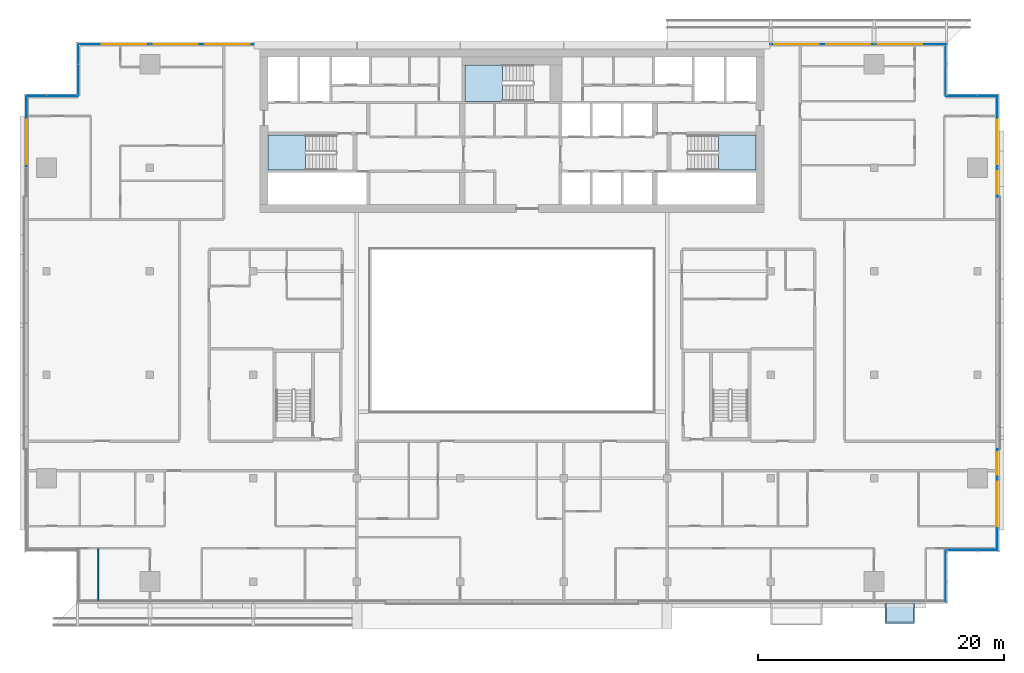
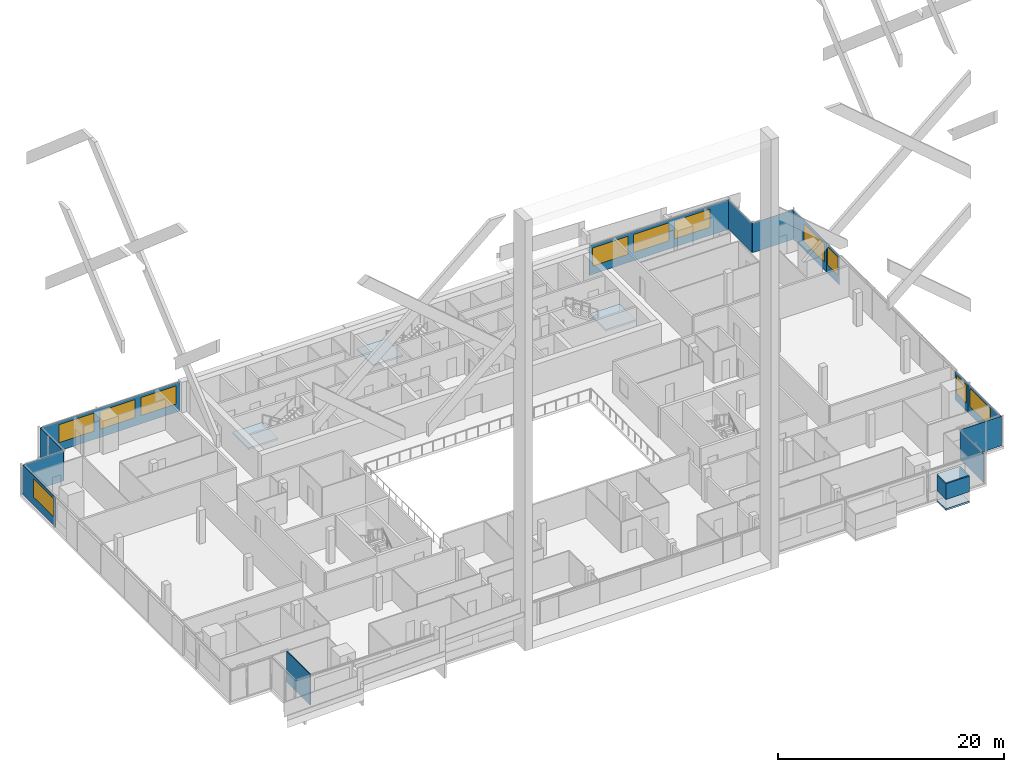
# One storey, part 18 of 31: 15 plates, 11 windows, 4 slabs, 1 wall, 11 openings, 12 elements without a shape of their own.
"""IFC4 building model written with IfcOpenShell, lengths in metres."""

from ifc_helpers import new_model, si_unit, direction, frame, frame_2d, origin, place, context, subcontext, project, spatial, polyline, rectangle, outline, extrude, material, layer, layer_set, type_object, element, fill, aggregate, save


model = new_model("IFC4")

# Units and contexts
model_context = context("Model", 3, precision=1e-05, world=origin(), true_north=direction((0.0, 1.0)))
body_context = subcontext(model_context, "Body", "Model", "MODEL_VIEW")
ifc_project = project(units=[si_unit("LENGTHUNIT", "METRE"), si_unit("AREAUNIT", "SQUARE_METRE"), si_unit("VOLUMEUNIT", "CUBIC_METRE"), si_unit("PLANEANGLEUNIT", "RADIAN"), si_unit("MASSUNIT", "GRAM", prefix="KILO")], contexts=[model_context])

# Site, building, storey
site_placement = place(None, origin())
site = spatial("IfcSite", under=ifc_project, at=site_placement, CompositionType="ELEMENT")
building_placement = place(site_placement, origin())
building = spatial("IfcBuilding", under=site, at=building_placement, Name="Saffron Gate Tower", CompositionType="ELEMENT")
storey_placement = place(building_placement, frame((0.0, 0.0, 205.5)))
storey = spatial("IfcBuildingStorey", under=building, at=storey_placement, Name="L49", CompositionType="ELEMENT", Elevation=205.5)

# Curtain wall, plates, openings, windows
ifc_material_1 = material(Name="Aluminium, bronze anodised", Category="aluminium")
curtain_wall_type_1 = type_object("IfcCurtainWallType", Name="CWS2 curtain wall side facades", PredefinedType="NOTDEFINED", material=ifc_material_1)
curtain_wall_1_placement = place(storey_placement, origin())
curtain_wall_1 = element("IfcCurtainWall", 1, at=curtain_wall_1_placement, inside=storey, type_object=curtain_wall_type_1, Name="CWS2 run 4", PredefinedType="NOTDEFINED")
ifc_material_2 = material(Name="Fritted bronze-tinted laminated glass", Category="glass")
ifc_layer_1 = layer(ifc_material_2, 0.028076171875)
ifc_layer_set_1 = layer_set([ifc_layer_1], Name="CWS2 fixed glass")
plate_type_1 = type_object("IfcPlateType", Name="CWS2 fixed glass", PredefinedType="CURTAIN_PANEL", material=ifc_layer_set_1)
plate_1_placement = place(storey_placement, frame((127.02587890625, 34.387939453125, 0.0), z_axis=(0.0, 0.0, 1.0), x_axis=(0.0, 1.0, 0.0)))
plate_1 = element("IfcPlate", 2, at=plate_1_placement, type_object=plate_type_1, Name="CWS2 glass panel", PredefinedType="CURTAIN_PANEL", context=body_context, shape_type="SweptSolid", body=[
    extrude(rectangle(XDim=5.842041015625, YDim=0.028076171875, at=frame_2d((2.9208984375, 0.0))), origin(), (0.0, 0.0, 1.0), 3.199951171875),
])
opening_1_placement = place(plate_1_placement, frame((1.912109375, 0.0, 0.89990234375)))
opening_1 = element("IfcOpeningElement", 3, at=opening_1_placement, cuts=plate_1, Name="Opening W1", PredefinedType="OPENING", context=body_context, shape_type="SweptSolid", body=[
    extrude(rectangle(XDim=3.60009765625, YDim=1.949951171875, at=frame_2d((1.800048828125, 0.97509765625))), frame((0.0, 0.02392578125, 0.0), z_axis=(0.0, -1.0, 0.0), x_axis=(1.0, 0.0, 0.0)), (0.0, 0.0, 1.0), 0.048095703125),
])
ifc_material_3 = material(Name="Fritted bronze-tinted laminated glass in bronze frame", Category="glass")
ifc_layer_2 = layer(ifc_material_3, 0.06005859375)
ifc_layer_set_2 = layer_set([ifc_layer_2], Name="W1 operable panel 3600x1950")
window_type_1 = type_object("IfcWindowType", Name="W1 operable panel 3600x1950", PartitioningType="DOUBLE_PANEL_HORIZONTAL", PredefinedType="WINDOW", material=ifc_layer_set_2)
window_1_placement = place(opening_1_placement, origin())
window_1 = element("IfcWindow", 4, at=window_1_placement, type_object=window_type_1, Name="W1 operable panel", OverallHeight=1.949951171875, OverallWidth=3.60009765625, PartitioningType="SINGLE_PANEL", PredefinedType="WINDOW", context=body_context, shape_type="SweptSolid", body=[
    extrude(rectangle(XDim=3.60009765625, YDim=1.949951171875, at=frame_2d((1.800048828125, 0.97509765625))), frame((0.0, 0.013671875, 0.0), z_axis=(0.0, -1.0, 0.0), x_axis=(1.0, 0.0, 0.0)), (0.0, 0.0, 1.0), 0.027587890625),
])
fill(opening_1, window_1)
plate_2_placement = place(storey_placement, frame((127.02587890625, 65.3701171875, 0.0), z_axis=(0.0, 0.0, 1.0), x_axis=(0.0, 1.0, 0.0)))
plate_2 = element("IfcPlate", 5, at=plate_2_placement, type_object=plate_type_1, Name="CWS2 glass panel", PredefinedType="CURTAIN_PANEL", context=body_context, shape_type="SweptSolid", body=[
    extrude(rectangle(XDim=5.841796875, YDim=0.028076171875, at=frame_2d((2.9208984375, 0.0))), origin(), (0.0, 0.0, 1.0), 3.199951171875),
])
opening_2_placement = place(plate_2_placement, frame((0.330078125, 0.0, 0.89990234375)))
opening_2 = element("IfcOpeningElement", 6, at=opening_2_placement, cuts=plate_2, Name="Opening W1", PredefinedType="OPENING", context=body_context, shape_type="SweptSolid", body=[
    extrude(rectangle(XDim=3.60009765625, YDim=1.949951171875, at=frame_2d((1.800048828125, 0.97509765625))), frame((0.0, 0.02392578125, 0.0), z_axis=(0.0, -1.0, 0.0), x_axis=(1.0, 0.0, 0.0)), (0.0, 0.0, 1.0), 0.048095703125),
])
window_2_placement = place(opening_2_placement, origin())
window_2 = element("IfcWindow", 7, at=window_2_placement, type_object=window_type_1, Name="W1 operable panel", OverallHeight=1.949951171875, OverallWidth=3.60009765625, PartitioningType="SINGLE_PANEL", PredefinedType="WINDOW", context=body_context, shape_type="SweptSolid", body=[
    extrude(rectangle(XDim=3.60009765625, YDim=1.949951171875, at=frame_2d((1.800048828125, 0.97509765625))), frame((0.0, 0.013671875, 0.0), z_axis=(0.0, -1.0, 0.0), x_axis=(1.0, 0.0, 0.0)), (0.0, 0.0, 1.0), 0.027587890625),
])
fill(opening_2, window_2)
plate_3_placement = place(storey_placement, frame((127.02587890625, 40.22998046875, 0.0), z_axis=(0.0, 0.0, 1.0), x_axis=(0.0, 1.0, 0.0)))
plate_3 = element("IfcPlate", 8, at=plate_3_placement, type_object=plate_type_1, Name="CWS2 glass panel", PredefinedType="CURTAIN_PANEL", context=body_context, shape_type="SweptSolid", body=[
    extrude(rectangle(XDim=2.32080078125, YDim=0.028076171875, at=frame_2d((1.160400390625, 0.0))), origin(), (0.0, 0.0, 1.0), 3.199951171875),
])
opening_3_placement = place(plate_3_placement, frame((0.260498046875, 0.0, 0.89990234375)))
opening_3 = element("IfcOpeningElement", 9, at=opening_3_placement, cuts=plate_3, Name="Opening W1N18", PredefinedType="OPENING", context=body_context, shape_type="SweptSolid", body=[
    extrude(rectangle(XDim=1.800048828125, YDim=1.949951171875, at=frame_2d((0.89990234375, 0.97509765625))), frame((0.0, 0.02392578125, 0.0), z_axis=(0.0, -1.0, 0.0), x_axis=(1.0, 0.0, 0.0)), (0.0, 0.0, 1.0), 0.048095703125),
])
ifc_layer_3 = layer(ifc_material_3, 0.06005859375)
ifc_layer_set_3 = layer_set([ifc_layer_3], Name="W1N18 operable panel 1800x1950")
window_type_2 = type_object("IfcWindowType", Name="W1N18 operable panel 1800x1950", PartitioningType="DOUBLE_PANEL_HORIZONTAL", PredefinedType="WINDOW", material=ifc_layer_set_3)
window_3_placement = place(opening_3_placement, origin())
window_3 = element("IfcWindow", 10, at=window_3_placement, type_object=window_type_2, Name="W1N18 operable panel", OverallHeight=1.949951171875, OverallWidth=1.800048828125, PartitioningType="SINGLE_PANEL", PredefinedType="WINDOW", context=body_context, shape_type="SweptSolid", body=[
    extrude(rectangle(XDim=1.800048828125, YDim=1.949951171875, at=frame_2d((0.89990234375, 0.97509765625))), frame((0.0, 0.013671875, 0.0), z_axis=(0.0, -1.0, 0.0), x_axis=(1.0, 0.0, 0.0)), (0.0, 0.0, 1.0), 0.027587890625),
])
fill(opening_3, window_3)
plate_4_placement = place(storey_placement, frame((127.02587890625, 63.04931640625, 0.0), z_axis=(0.0, 0.0, 1.0), x_axis=(0.0, 1.0, 0.0)))
plate_4 = element("IfcPlate", 11, at=plate_4_placement, type_object=plate_type_1, Name="CWS2 glass panel", PredefinedType="CURTAIN_PANEL", context=body_context, shape_type="SweptSolid", body=[
    extrude(rectangle(XDim=2.32080078125, YDim=0.028076171875, at=frame_2d((1.160400390625, 0.0))), origin(), (0.0, 0.0, 1.0), 3.199951171875),
])
opening_4_placement = place(plate_4_placement, frame((0.260498046875, 0.0, 0.89990234375)))
opening_4 = element("IfcOpeningElement", 12, at=opening_4_placement, cuts=plate_4, Name="Opening W1N18", PredefinedType="OPENING", context=body_context, shape_type="SweptSolid", body=[
    extrude(rectangle(XDim=1.800048828125, YDim=1.949951171875, at=frame_2d((0.89990234375, 0.97509765625))), frame((0.0, 0.02392578125, 0.0), z_axis=(0.0, -1.0, 0.0), x_axis=(1.0, 0.0, 0.0)), (0.0, 0.0, 1.0), 0.048095703125),
])
window_4_placement = place(opening_4_placement, origin())
window_4 = element("IfcWindow", 13, at=window_4_placement, type_object=window_type_2, Name="W1N18 operable panel", OverallHeight=1.949951171875, OverallWidth=1.800048828125, PartitioningType="SINGLE_PANEL", PredefinedType="WINDOW", context=body_context, shape_type="SweptSolid", body=[
    extrude(rectangle(XDim=1.800048828125, YDim=1.949951171875, at=frame_2d((0.89990234375, 0.97509765625))), frame((0.0, 0.013671875, 0.0), z_axis=(0.0, -1.0, 0.0), x_axis=(1.0, 0.0, 0.0)), (0.0, 0.0, 1.0), 0.027587890625),
])
fill(opening_4, window_4)
aggregate(curtain_wall_1, [plate_1, plate_2, plate_3, plate_4, window_1, window_2, window_3, window_4])

# Curtain wall, plate, opening, window
curtain_wall_2_placement = place(storey_placement, origin())
curtain_wall_2 = element("IfcCurtainWall", 14, at=curtain_wall_2_placement, inside=storey, type_object=curtain_wall_type_1, Name="CWS2 run 10", PredefinedType="NOTDEFINED")
plate_5_placement = place(storey_placement, frame((48.174072265625, 71.2119140625, 0.0), z_axis=(0.0, 0.0, 1.0), x_axis=(0.0, -1.0, 0.0)))
plate_5 = element("IfcPlate", 15, at=plate_5_placement, type_object=plate_type_1, Name="CWS2 glass panel", PredefinedType="CURTAIN_PANEL", context=body_context, shape_type="SweptSolid", body=[
    extrude(rectangle(XDim=5.841796875, YDim=0.028076171875, at=frame_2d((2.9208984375, 0.0))), origin(), (0.0, 0.0, 1.0), 3.199951171875),
])
opening_5_placement = place(plate_5_placement, frame((1.912109375, 0.0, 0.89990234375)))
opening_5 = element("IfcOpeningElement", 16, at=opening_5_placement, cuts=plate_5, Name="Opening W1", PredefinedType="OPENING", context=body_context, shape_type="SweptSolid", body=[
    extrude(rectangle(XDim=3.60009765625, YDim=1.949951171875, at=frame_2d((1.800048828125, 0.97509765625))), frame((0.0, 0.02392578125, 0.0), z_axis=(0.0, -1.0, 0.0), x_axis=(1.0, 0.0, 0.0)), (0.0, 0.0, 1.0), 0.048095703125),
])
window_5_placement = place(opening_5_placement, origin())
window_5 = element("IfcWindow", 17, at=window_5_placement, type_object=window_type_1, Name="W1 operable panel", OverallHeight=1.949951171875, OverallWidth=3.60009765625, PartitioningType="SINGLE_PANEL", PredefinedType="WINDOW", context=body_context, shape_type="SweptSolid", body=[
    extrude(rectangle(XDim=3.60009765625, YDim=1.949951171875, at=frame_2d((1.800048828125, 0.97509765625))), frame((0.0, 0.013671875, 0.0), z_axis=(0.0, -1.0, 0.0), x_axis=(1.0, 0.0, 0.0)), (0.0, 0.0, 1.0), 0.027587890625),
])
fill(opening_5, window_5)
aggregate(curtain_wall_2, [plate_5, window_5])

# Curtain wall, plates, openings, windows
curtain_wall_type_2 = type_object("IfcCurtainWallType", Name="CWS3 curtain wall rear facade", PredefinedType="NOTDEFINED", material=ifc_material_1)
curtain_wall_3_placement = place(storey_placement, origin())
curtain_wall_3 = element("IfcCurtainWall", 18, at=curtain_wall_3_placement, inside=storey, type_object=curtain_wall_type_2, Name="CWS3 run 7", PredefinedType="NOTDEFINED")
ifc_material_4 = material(Name="Fritted grey-tinted laminated glass", Category="glass")
ifc_layer_4 = layer(ifc_material_4, 0.028076171875)
ifc_layer_set_4 = layer_set([ifc_layer_4], Name="CWS3 fixed glass")
plate_type_2 = type_object("IfcPlateType", Name="CWS3 fixed glass", PredefinedType="CURTAIN_PANEL", material=ifc_layer_set_4)
plate_6_placement = place(storey_placement, frame((122.81201171875, 75.426025390625, 0.0), z_axis=(0.0, 0.0, 1.0), x_axis=(-1.0, 0.0, 0.0)))
plate_6 = element("IfcPlate", 19, at=plate_6_placement, type_object=plate_type_2, Name="CWS3 glass panel", PredefinedType="CURTAIN_PANEL", context=body_context, shape_type="SweptSolid", body=[
    extrude(rectangle(XDim=14.2470703125, YDim=0.028076171875, at=frame_2d((7.12353515625, 0.0))), origin(), (0.0, 0.0, 1.0), 3.199951171875),
])
opening_6_placement = place(plate_6_placement, frame((1.912109375, 0.0, 0.89990234375)))
opening_6 = element("IfcOpeningElement", 20, at=opening_6_placement, cuts=plate_6, Name="Opening W1", PredefinedType="OPENING", context=body_context, shape_type="SweptSolid", body=[
    extrude(rectangle(XDim=3.60009765625, YDim=1.949951171875, at=frame_2d((1.800048828125, 0.97509765625))), frame((0.0, 0.02392578125, 0.0), z_axis=(0.0, -1.0, 0.0), x_axis=(1.0, 0.0, 0.0)), (0.0, 0.0, 1.0), 0.048095703125),
])
opening_7_placement = place(plate_6_placement, frame((6.112060546875, 0.0, 0.89990234375)))
opening_7 = element("IfcOpeningElement", 21, at=opening_7_placement, cuts=plate_6, Name="Opening W1", PredefinedType="OPENING", context=body_context, shape_type="SweptSolid", body=[
    extrude(rectangle(XDim=3.60009765625, YDim=1.949951171875, at=frame_2d((1.800048828125, 0.97509765625))), frame((0.0, 0.02392578125, 0.0), z_axis=(0.0, -1.0, 0.0), x_axis=(1.0, 0.0, 0.0)), (0.0, 0.0, 1.0), 0.048095703125),
])
opening_8_placement = place(plate_6_placement, frame((10.31201171875, 0.0, 0.89990234375)))
opening_8 = element("IfcOpeningElement", 22, at=opening_8_placement, cuts=plate_6, Name="Opening W1", PredefinedType="OPENING", context=body_context, shape_type="SweptSolid", body=[
    extrude(rectangle(XDim=3.60009765625, YDim=1.949951171875, at=frame_2d((1.800048828125, 0.97509765625))), frame((0.0, 0.02392578125, 0.0), z_axis=(0.0, -1.0, 0.0), x_axis=(1.0, 0.0, 0.0)), (0.0, 0.0, 1.0), 0.048095703125),
])
window_6_placement = place(opening_6_placement, origin())
window_6 = element("IfcWindow", 23, at=window_6_placement, type_object=window_type_1, Name="W1 operable panel", OverallHeight=1.949951171875, OverallWidth=3.60009765625, PartitioningType="SINGLE_PANEL", PredefinedType="WINDOW", context=body_context, shape_type="SweptSolid", body=[
    extrude(rectangle(XDim=3.60009765625, YDim=1.949951171875, at=frame_2d((1.800048828125, 0.97509765625))), frame((0.0, 0.013671875, 0.0), z_axis=(0.0, -1.0, 0.0), x_axis=(1.0, 0.0, 0.0)), (0.0, 0.0, 1.0), 0.027587890625),
])
fill(opening_6, window_6)
window_7_placement = place(opening_7_placement, origin())
window_7 = element("IfcWindow", 24, at=window_7_placement, type_object=window_type_1, Name="W1 operable panel", OverallHeight=1.949951171875, OverallWidth=3.60009765625, PartitioningType="SINGLE_PANEL", PredefinedType="WINDOW", context=body_context, shape_type="SweptSolid", body=[
    extrude(rectangle(XDim=3.60009765625, YDim=1.949951171875, at=frame_2d((1.800048828125, 0.97509765625))), frame((0.0, 0.013671875, 0.0), z_axis=(0.0, -1.0, 0.0), x_axis=(1.0, 0.0, 0.0)), (0.0, 0.0, 1.0), 0.027587890625),
])
fill(opening_7, window_7)
window_8_placement = place(opening_8_placement, origin())
window_8 = element("IfcWindow", 25, at=window_8_placement, type_object=window_type_1, Name="W1 operable panel", OverallHeight=1.949951171875, OverallWidth=3.60009765625, PartitioningType="SINGLE_PANEL", PredefinedType="WINDOW", context=body_context, shape_type="SweptSolid", body=[
    extrude(rectangle(XDim=3.60009765625, YDim=1.949951171875, at=frame_2d((1.800048828125, 0.97509765625))), frame((0.0, 0.013671875, 0.0), z_axis=(0.0, -1.0, 0.0), x_axis=(1.0, 0.0, 0.0)), (0.0, 0.0, 1.0), 0.027587890625),
])
fill(opening_8, window_8)
plate_7_placement = place(storey_placement, frame((66.635009765625, 75.426025390625, 0.0), z_axis=(0.0, 0.0, 1.0), x_axis=(-1.0, 0.0, 0.0)))
plate_7 = element("IfcPlate", 26, at=plate_7_placement, type_object=plate_type_2, Name="CWS3 glass panel", PredefinedType="CURTAIN_PANEL", context=body_context, shape_type="SweptSolid", body=[
    extrude(rectangle(XDim=14.2470703125, YDim=0.028076171875, at=frame_2d((7.12353515625, 0.0))), origin(), (0.0, 0.0, 1.0), 3.199951171875),
])
opening_9_placement = place(plate_7_placement, frame((0.3349609375, 0.0, 0.89990234375)))
opening_9 = element("IfcOpeningElement", 27, at=opening_9_placement, cuts=plate_7, Name="Opening W1", PredefinedType="OPENING", context=body_context, shape_type="SweptSolid", body=[
    extrude(rectangle(XDim=3.60009765625, YDim=1.949951171875, at=frame_2d((1.800048828125, 0.97509765625))), frame((0.0, 0.02392578125, 0.0), z_axis=(0.0, -1.0, 0.0), x_axis=(1.0, 0.0, 0.0)), (0.0, 0.0, 1.0), 0.048095703125),
])
opening_10_placement = place(plate_7_placement, frame((4.534912109375, 0.0, 0.89990234375)))
opening_10 = element("IfcOpeningElement", 28, at=opening_10_placement, cuts=plate_7, Name="Opening W1", PredefinedType="OPENING", context=body_context, shape_type="SweptSolid", body=[
    extrude(rectangle(XDim=3.60009765625, YDim=1.949951171875, at=frame_2d((1.800048828125, 0.97509765625))), frame((0.0, 0.02392578125, 0.0), z_axis=(0.0, -1.0, 0.0), x_axis=(1.0, 0.0, 0.0)), (0.0, 0.0, 1.0), 0.048095703125),
])
opening_11_placement = place(plate_7_placement, frame((8.735107421875, 0.0, 0.89990234375)))
opening_11 = element("IfcOpeningElement", 29, at=opening_11_placement, cuts=plate_7, Name="Opening W1", PredefinedType="OPENING", context=body_context, shape_type="SweptSolid", body=[
    extrude(rectangle(XDim=3.60009765625, YDim=1.949951171875, at=frame_2d((1.800048828125, 0.97509765625))), frame((0.0, 0.02392578125, 0.0), z_axis=(0.0, -1.0, 0.0), x_axis=(1.0, 0.0, 0.0)), (0.0, 0.0, 1.0), 0.048095703125),
])
window_9_placement = place(opening_9_placement, origin())
window_9 = element("IfcWindow", 30, at=window_9_placement, type_object=window_type_1, Name="W1 operable panel", OverallHeight=1.949951171875, OverallWidth=3.60009765625, PartitioningType="SINGLE_PANEL", PredefinedType="WINDOW", context=body_context, shape_type="SweptSolid", body=[
    extrude(rectangle(XDim=3.60009765625, YDim=1.949951171875, at=frame_2d((1.800048828125, 0.97509765625))), frame((0.0, 0.013671875, 0.0), z_axis=(0.0, -1.0, 0.0), x_axis=(1.0, 0.0, 0.0)), (0.0, 0.0, 1.0), 0.027587890625),
])
fill(opening_9, window_9)
window_10_placement = place(opening_10_placement, origin())
window_10 = element("IfcWindow", 31, at=window_10_placement, type_object=window_type_1, Name="W1 operable panel", OverallHeight=1.949951171875, OverallWidth=3.60009765625, PartitioningType="SINGLE_PANEL", PredefinedType="WINDOW", context=body_context, shape_type="SweptSolid", body=[
    extrude(rectangle(XDim=3.60009765625, YDim=1.949951171875, at=frame_2d((1.800048828125, 0.97509765625))), frame((0.0, 0.013671875, 0.0), z_axis=(0.0, -1.0, 0.0), x_axis=(1.0, 0.0, 0.0)), (0.0, 0.0, 1.0), 0.027587890625),
])
fill(opening_10, window_10)
window_11_placement = place(opening_11_placement, origin())
window_11 = element("IfcWindow", 32, at=window_11_placement, type_object=window_type_1, Name="W1 operable panel", OverallHeight=1.949951171875, OverallWidth=3.60009765625, PartitioningType="SINGLE_PANEL", PredefinedType="WINDOW", context=body_context, shape_type="SweptSolid", body=[
    extrude(rectangle(XDim=3.60009765625, YDim=1.949951171875, at=frame_2d((1.800048828125, 0.97509765625))), frame((0.0, 0.013671875, 0.0), z_axis=(0.0, -1.0, 0.0), x_axis=(1.0, 0.0, 0.0)), (0.0, 0.0, 1.0), 0.027587890625),
])
fill(opening_11, window_11)
aggregate(curtain_wall_3, [plate_6, plate_7, window_6, window_7, window_8, window_9, window_10, window_11])

# Curtain wall, plate
curtain_wall_type_3 = type_object("IfcCurtainWallType", Name="CWS4 curtain wall corner returns", PredefinedType="NOTDEFINED", material=ifc_material_1)
curtain_wall_4_placement = place(storey_placement, origin())
curtain_wall_4 = element("IfcCurtainWall", 33, at=curtain_wall_4_placement, inside=storey, type_object=curtain_wall_type_3, Name="CWS4 run 2", PredefinedType="NOTDEFINED")
ifc_layer_5 = layer(ifc_material_2, 0.028076171875)
ifc_layer_set_5 = layer_set([ifc_layer_5], Name="CWS4 fixed glass")
plate_type_3 = type_object("IfcPlateType", Name="CWS4 fixed glass", PredefinedType="CURTAIN_PANEL", material=ifc_layer_set_5)
plate_8_placement = place(storey_placement, frame((122.825927734375, 30.18798828125, 0.0), z_axis=(0.0, 0.0, 1.0), x_axis=(0.0, 1.0, 0.0)))
plate_8 = element("IfcPlate", 34, at=plate_8_placement, type_object=plate_type_3, Name="CWS4 glass panel", PredefinedType="CURTAIN_PANEL", context=body_context, shape_type="SweptSolid", body=[
    extrude(rectangle(XDim=4.172119140625, YDim=0.028076171875, at=frame_2d((2.0859375, 0.0))), origin(), (0.0, 0.0, 1.0), 3.199951171875),
])
aggregate(curtain_wall_4, [plate_8])

curtain_wall_5_placement = place(storey_placement, origin())
curtain_wall_5 = element("IfcCurtainWall", 35, at=curtain_wall_5_placement, inside=storey, type_object=curtain_wall_type_3, Name="CWS4 run 3", PredefinedType="NOTDEFINED")
plate_9_placement = place(storey_placement, frame((122.840087890625, 34.3740234375, 0.0), z_axis=(0.0, 0.0, 1.0), x_axis=(1.0, 0.0, 0.0)))
plate_9 = element("IfcPlate", 36, at=plate_9_placement, type_object=plate_type_3, Name="CWS4 glass panel", PredefinedType="CURTAIN_PANEL", context=body_context, shape_type="SweptSolid", body=[
    extrude(rectangle(XDim=4.171875, YDim=0.028076171875, at=frame_2d((2.0859375, 0.0))), origin(), (0.0, 0.0, 1.0), 3.199951171875),
])
aggregate(curtain_wall_5, [plate_9])

curtain_wall_6_placement = place(storey_placement, origin())
curtain_wall_6 = element("IfcCurtainWall", 37, at=curtain_wall_6_placement, inside=storey, type_object=curtain_wall_type_3, Name="CWS4 run 5", PredefinedType="NOTDEFINED")
plate_10_placement = place(storey_placement, frame((127.011962890625, 71.22607421875, 0.0), z_axis=(0.0, 0.0, 1.0), x_axis=(-1.0, 0.0, 0.0)))
plate_10 = element("IfcPlate", 38, at=plate_10_placement, type_object=plate_type_3, Name="CWS4 glass panel", PredefinedType="CURTAIN_PANEL", context=body_context, shape_type="SweptSolid", body=[
    extrude(rectangle(XDim=4.171875, YDim=0.028076171875, at=frame_2d((2.0859375, 0.0))), origin(), (0.0, 0.0, 1.0), 3.199951171875),
])
aggregate(curtain_wall_6, [plate_10])

curtain_wall_7_placement = place(storey_placement, origin())
curtain_wall_7 = element("IfcCurtainWall", 39, at=curtain_wall_7_placement, inside=storey, type_object=curtain_wall_type_3, Name="CWS4 run 6", PredefinedType="NOTDEFINED")
plate_11_placement = place(storey_placement, frame((122.825927734375, 71.239990234375, 0.0), z_axis=(0.0, 0.0, 1.0), x_axis=(0.0, 1.0, 0.0)))
plate_11 = element("IfcPlate", 40, at=plate_11_placement, type_object=plate_type_3, Name="CWS4 glass panel", PredefinedType="CURTAIN_PANEL", context=body_context, shape_type="SweptSolid", body=[
    extrude(rectangle(XDim=4.172119140625, YDim=0.028076171875, at=frame_2d((2.0859375, 0.0))), origin(), (0.0, 0.0, 1.0), 3.199951171875),
])
aggregate(curtain_wall_7, [plate_11])

curtain_wall_8_placement = place(storey_placement, origin())
curtain_wall_8 = element("IfcCurtainWall", 41, at=curtain_wall_8_placement, inside=storey, type_object=curtain_wall_type_3, Name="CWS4 run 8", PredefinedType="NOTDEFINED")
plate_12_placement = place(storey_placement, frame((52.3740234375, 75.412109375, 0.0), z_axis=(0.0, 0.0, 1.0), x_axis=(0.0, -1.0, 0.0)))
plate_12 = element("IfcPlate", 42, at=plate_12_placement, type_object=plate_type_3, Name="CWS4 glass panel", PredefinedType="CURTAIN_PANEL", context=body_context, shape_type="SweptSolid", body=[
    extrude(rectangle(XDim=4.172119140625, YDim=0.028076171875, at=frame_2d((2.0859375, 0.0))), origin(), (0.0, 0.0, 1.0), 3.199951171875),
])
aggregate(curtain_wall_8, [plate_12])

curtain_wall_9_placement = place(storey_placement, origin())
curtain_wall_9 = element("IfcCurtainWall", 43, at=curtain_wall_9_placement, inside=storey, type_object=curtain_wall_type_3, Name="CWS4 run 9", PredefinedType="NOTDEFINED")
plate_13_placement = place(storey_placement, frame((52.360107421875, 71.22607421875, 0.0), z_axis=(0.0, 0.0, 1.0), x_axis=(-1.0, 0.0, 0.0)))
plate_13 = element("IfcPlate", 44, at=plate_13_placement, type_object=plate_type_3, Name="CWS4 glass panel", PredefinedType="CURTAIN_PANEL", context=body_context, shape_type="SweptSolid", body=[
    extrude(rectangle(XDim=4.172119140625, YDim=0.028076171875, at=frame_2d((2.0859375, 0.0))), origin(), (0.0, 0.0, 1.0), 3.199951171875),
])
aggregate(curtain_wall_9, [plate_13])

# Stair, slab
ifc_material_5 = material(Name="Concrete C40", Category="concrete")
stair_type = type_object("IfcStairType", Name="ST7 Stair 1350 wide, 20 risers of 180", PredefinedType="HALF_TURN_STAIR", material=ifc_material_5)
stair_1_placement = place(storey_placement, origin())
stair_1 = element("IfcStair", 45, at=stair_1_placement, inside=storey, type_object=stair_type, Name="L49 Exit stair A", PredefinedType="HALF_TURN_STAIR")
ifc_layer_6 = layer(ifc_material_5, 0.199951171875)
ifc_layer_set_6 = layer_set([ifc_layer_6], Name="SL1 Stair landing 200")
slab_type_1 = type_object("IfcSlabType", Name="SL1 Stair landing 200", PredefinedType="LANDING", material=ifc_layer_set_6)
slab_1_placement = place(storey_placement, frame((0.0, 0.0, 1.60009765625)))
slab_1 = element("IfcSlab", 46, at=slab_1_placement, type_object=slab_type_1, Name="ST-A landing 1", PredefinedType="LANDING", context=body_context, shape_type="SweptSolid", body=[
    extrude(outline(polyline([(70.830078125, 68.050048828125), (67.800048828125, 68.050048828125), (67.800048828125, 65.199951171875), (70.830078125, 65.199951171875), (70.830078125, 68.050048828125)])), origin(), (0.0, 0.0, 1.0), 0.199951171875),
])
aggregate(stair_1, [slab_1])

stair_2_placement = place(storey_placement, origin())
stair_2 = element("IfcStair", 47, at=stair_2_placement, inside=storey, type_object=stair_type, Name="L49 Exit stair B", PredefinedType="HALF_TURN_STAIR")
slab_2_placement = place(storey_placement, frame((0.0, 0.0, 1.60009765625)))
slab_2 = element("IfcSlab", 48, at=slab_2_placement, type_object=slab_type_1, Name="ST-B landing 1", PredefinedType="LANDING", context=body_context, shape_type="SweptSolid", body=[
    extrude(outline(polyline([(104.3701171875, 65.199951171875), (107.39990234375, 65.199951171875), (107.39990234375, 68.050048828125), (104.3701171875, 68.050048828125), (104.3701171875, 65.199951171875)])), origin(), (0.0, 0.0, 1.0), 0.199951171875),
])
aggregate(stair_2, [slab_2])

stair_3_placement = place(storey_placement, origin())
stair_3 = element("IfcStair", 49, at=stair_3_placement, inside=storey, type_object=stair_type, Name="L49 Exit stair C", PredefinedType="HALF_TURN_STAIR")
slab_3_placement = place(storey_placement, frame((0.0, 0.0, 1.60009765625)))
slab_3 = element("IfcSlab", 50, at=slab_3_placement, type_object=slab_type_1, Name="ST-C landing 1", PredefinedType="LANDING", context=body_context, shape_type="SweptSolid", body=[
    extrude(outline(polyline([(86.830078125, 73.75), (83.800048828125, 73.75), (83.800048828125, 70.800048828125), (86.830078125, 70.800048828125), (86.830078125, 73.75)])), origin(), (0.0, 0.0, 1.0), 0.199951171875),
])
aggregate(stair_3, [slab_3])

# Slab
ifc_material_6 = material(Name="Timber deck on bronze frame", Category="wood")
ifc_layer_7 = layer(ifc_material_6, 0.199951171875)
ifc_layer_set_7 = layer_set([ifc_layer_7], Name="WB1 box floor")
slab_type_2 = type_object("IfcSlabType", Name="WB1 box floor", PredefinedType="FLOOR", material=ifc_layer_set_7)
slab_4_placement = place(storey_placement, frame((0.0, 0.0, -0.199951171875)))
element("IfcSlab", 51, at=slab_4_placement, inside=storey, type_object=slab_type_2, Name="WINDOW BOX floor", PredefinedType="FLOOR", context=body_context, shape_type="SweptSolid", body=[
    extrude(outline(polyline([(117.89990234375, 30.0), (120.300048828125, 30.0), (120.300048828125, 28.39990234375), (117.89990234375, 28.39990234375), (117.89990234375, 30.0)])), origin(), (0.0, 0.0, 1.0), 0.199951171875),
])

# Plates
ifc_layer_8 = layer(ifc_material_1, 0.1201171875)
ifc_layer_set_8 = layer_set([ifc_layer_8], Name="WB2 box roof")
plate_type_4 = type_object("IfcPlateType", Name="WB2 box roof", PredefinedType="SHEET", material=ifc_layer_set_8)
plate_14_placement = place(storey_placement, frame((0.0, 0.0, 2.699951171875)))
element("IfcPlate", 52, at=plate_14_placement, inside=storey, type_object=plate_type_4, Name="WINDOW BOX roof", PredefinedType="SHEET", context=body_context, shape_type="SweptSolid", body=[
    extrude(outline(polyline([(117.89990234375, 30.0), (120.300048828125, 30.0), (120.300048828125, 28.39990234375), (117.89990234375, 28.39990234375), (117.89990234375, 30.0)])), origin(), (0.0, 0.0, 1.0), 0.1201171875),
])
ifc_material_7 = material(Name="Clear low-iron laminated glass", Category="glass")
ifc_layer_9 = layer(ifc_material_7, 0.10009765625)
ifc_layer_set_9 = layer_set([ifc_layer_9], Name="WB6 box glazing")
plate_type_5 = type_object("IfcPlateType", Name="WB6 box glazing", PredefinedType="SHEET", material=ifc_layer_set_9)
plate_15_placement = place(storey_placement, frame((0.0, 0.0, 1.0)))
element("IfcPlate", 53, at=plate_15_placement, inside=storey, type_object=plate_type_5, Name="WINDOW BOX glazing", PredefinedType="SHEET", context=body_context, shape_type="SweptSolid", body=[
    extrude(outline(polyline([(117.89990234375, 30.0), (118.0, 30.0), (118.0, 28.5), (120.199951171875, 28.5), (120.199951171875, 30.0), (120.300048828125, 30.0), (120.300048828125, 28.39990234375), (117.89990234375, 28.39990234375), (117.89990234375, 30.0)])), origin(), (0.0, 0.0, 1.0), 1.699951171875),
])

# Wall
ifc_material_8 = material(Name="Plasterboard on steel studs", Category="steel")
ifc_layer_10 = layer(ifc_material_8, 0.10009765625)
ifc_layer_set_10 = layer_set([ifc_layer_10], Name="PW1 Partition 100")
wall_type = type_object("IfcWallType", Name="PW1 Partition 100", PredefinedType="PARTITIONING", material=ifc_layer_set_10)
wall_placement = place(storey_placement, frame((54.0, 34.449951171875, 0.0), z_axis=(0.0, 0.0, 1.0), x_axis=(0.0, -1.0, 0.0)))
element("IfcWall", 54, at=wall_placement, inside=storey, type_object=wall_type, Name="Partition D1-47", PredefinedType="PARTITIONING", context=body_context, shape_type="SweptSolid", body=[
    extrude(rectangle(XDim=4.169921875, YDim=0.10009765625, at=frame_2d((2.0849609375, 0.0))), origin(), (0.0, 0.0, 1.0), 3.320068359375),
])

save(model, "model.ifc")
